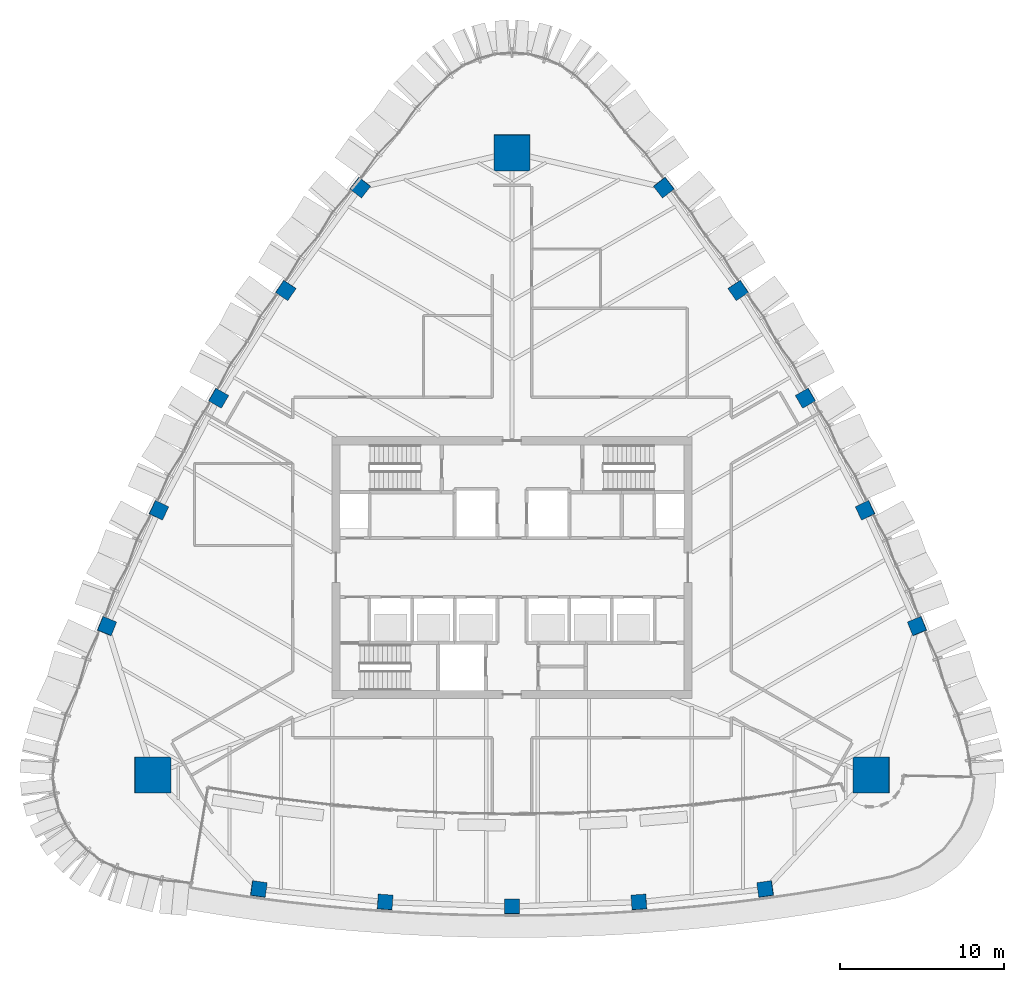
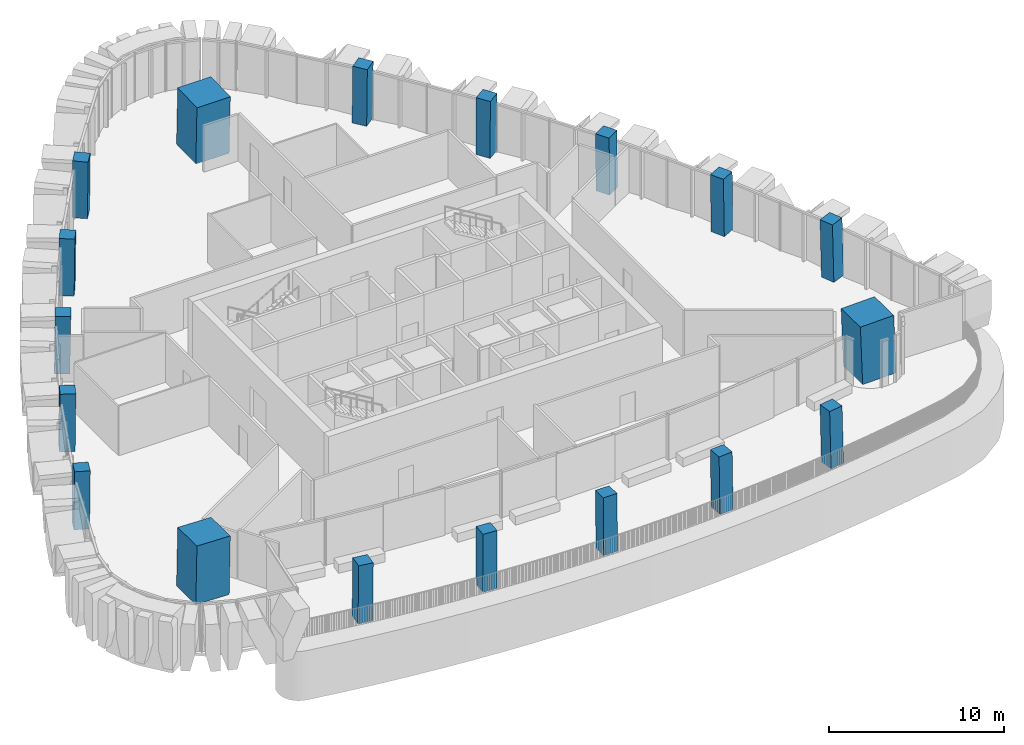
# One storey, part 1 of 22: 18 columns.
"""IFC4 building model written with IfcOpenShell, lengths in metres."""

from ifc_helpers import new_model, si_unit, direction, frame, origin, origin_2d, place, context, subcontext, project, spatial, rectangle, extrude, material, material_profile, profile_set, type_object, element, save


model = new_model("IFC4")

# Units and contexts
model_context = context("Model", 3, precision=1e-05, world=origin(), true_north=direction((0.0, 1.0)))
body_context = subcontext(model_context, "Body", "Model", "MODEL_VIEW")
ifc_project = project(units=[si_unit("LENGTHUNIT", "METRE"), si_unit("AREAUNIT", "SQUARE_METRE"), si_unit("VOLUMEUNIT", "CUBIC_METRE"), si_unit("PLANEANGLEUNIT", "RADIAN"), si_unit("MASSUNIT", "GRAM", prefix="KILO")], contexts=[model_context])

# Site, building, storey
site_placement = place(None, origin())
site = spatial("IfcSite", under=ifc_project, at=site_placement, CompositionType="ELEMENT")
building_placement = place(site_placement, origin())
building = spatial("IfcBuilding", under=site, at=building_placement, Name="Sierra Prisma Convention Tower", CompositionType="ELEMENT")
storey_placement = place(building_placement, frame((0.0, 0.0, 243.0)))
storey = spatial("IfcBuildingStorey", under=building, at=storey_placement, Name="L54", CompositionType="ELEMENT", Elevation=243.0)

# Columns
ifc_material_1 = material(Name="Concrete C50/60", Category="concrete")
ifc_material_profile_1 = material_profile(ifc_material_1, rectangle(XDim=2.199951171875, YDim=2.199951171875, at=origin_2d()), Name="Mega column RC 2200 C50/60")
ifc_profile_set_1 = profile_set([ifc_material_profile_1], Name="Concrete C50/60")
column_type_1 = type_object("IfcColumnType", Name="Mega column RC 2200 C50/60", PredefinedType="COLUMN", material=ifc_profile_set_1)
column_1_placement = place(storey_placement, frame((21.95751953125, -12.67724609375, 0.0), z_axis=(-0.027817649629, 0.016104955049, 0.999483270892), x_axis=(0.999613014306, 0.000448175434, 0.027814039075)))
element("IfcColumn", 1, at=column_1_placement, inside=storey, type_object=column_type_1, Name="Mega column SE L54", PredefinedType="COLUMN", context=body_context, shape_type="SweptSolid", body=[
    extrude(rectangle(XDim=2.199951171875, YDim=2.199951171875, at=origin_2d()), origin(), (0.0, 0.0, 1.0), 4.001953125),
])
column_2_placement = place(storey_placement, frame((0.0, 25.3544921875, 0.0), z_axis=(0.0, -0.032209841054, 0.999481128456), x_axis=(1.0, 0.0, 0.0)))
element("IfcColumn", 2, at=column_2_placement, inside=storey, type_object=column_type_1, Name="Mega column N L54", PredefinedType="COLUMN", context=body_context, shape_type="SweptSolid", body=[
    extrude(rectangle(XDim=2.199951171875, YDim=2.199951171875, at=origin_2d()), origin(), (0.0, 0.0, 1.0), 4.002197265625),
])
column_3_placement = place(storey_placement, frame((-21.95751953125, -12.67724609375, 0.0), z_axis=(0.027817649629, 0.016104955049, 0.999483270892), x_axis=(0.999613014306, -0.000448175434, -0.027814039075)))
element("IfcColumn", 3, at=column_3_placement, inside=storey, type_object=column_type_1, Name="Mega column SW L54", PredefinedType="COLUMN", context=body_context, shape_type="SweptSolid", body=[
    extrude(rectangle(XDim=2.199951171875, YDim=2.199951171875, at=origin_2d()), origin(), (0.0, 0.0, 1.0), 4.001953125),
])
ifc_material_2 = material(Name="Concrete C50/60", Category="concrete")
ifc_material_profile_2 = material_profile(ifc_material_2, rectangle(XDim=0.89990234375, YDim=0.89990234375, at=origin_2d()), Name="Perimeter column RC 900 C50/60")
ifc_profile_set_2 = profile_set([ifc_material_profile_2], Name="Concrete C50/60")
column_type_2 = type_object("IfcColumnType", Name="Perimeter column RC 900 C50/60", PredefinedType="COLUMN", material=ifc_profile_set_2)
column_4_placement = place(storey_placement, frame((-15.481201171875, -19.64697265625, 0.0), z_axis=(0.017513449354, 0.010434842647, 0.99979217498), x_axis=(-0.990536347389, 0.136323245156, 0.015928506883)))
element("IfcColumn", 4, at=column_4_placement, inside=storey, type_object=column_type_2, Name="Perimeter column S-1 L54", PredefinedType="COLUMN", context=body_context, shape_type="SweptSolid", body=[
    extrude(rectangle(XDim=0.89990234375, YDim=0.89990234375, at=origin_2d()), origin(), (0.0, 0.0, 1.0), 4.000732421875),
])
column_5_placement = place(storey_placement, frame((-7.7587890625, -20.440673828125, 0.0), z_axis=(0.008788174922, 0.01116830563, 0.999899013366), x_axis=(-0.997630770617, 0.068328359346, 0.008005050123)))
element("IfcColumn", 5, at=column_5_placement, inside=storey, type_object=column_type_2, Name="Perimeter column S-2 L54", PredefinedType="COLUMN", context=body_context, shape_type="SweptSolid", body=[
    extrude(rectangle(XDim=0.89990234375, YDim=0.89990234375, at=origin_2d()), origin(), (0.0, 0.0, 1.0), 4.00048828125),
])
column_6_placement = place(storey_placement, frame((0.0, -20.705810546875, 0.0), z_axis=(0.0, 0.011473854038, 0.99993417317), x_axis=(1.0, 0.0, 0.0)))
element("IfcColumn", 6, at=column_6_placement, inside=storey, type_object=column_type_2, Name="Perimeter column S-3 L54", PredefinedType="COLUMN", context=body_context, shape_type="SweptSolid", body=[
    extrude(rectangle(XDim=0.89990234375, YDim=0.89990234375, at=origin_2d()), origin(), (0.0, 0.0, 1.0), 4.000244140625),
])
column_7_placement = place(storey_placement, frame((7.7587890625, -20.440673828125, 0.0), z_axis=(-0.008788174922, 0.01116830563, 0.999899013366), x_axis=(0.997630770617, 0.068328359346, 0.008005050123)))
element("IfcColumn", 7, at=column_7_placement, inside=storey, type_object=column_type_2, Name="Perimeter column S-4 L54", PredefinedType="COLUMN", context=body_context, shape_type="SweptSolid", body=[
    extrude(rectangle(XDim=0.89990234375, YDim=0.89990234375, at=origin_2d()), origin(), (0.0, 0.0, 1.0), 4.00048828125),
])
for number, where, z_axis, x_axis, name in (
    (8, (15.481201171875, -19.64697265625, 0.0), (-0.017513449354, 0.010434842647, 0.99979217498), (0.990536347389, 0.136323245156, 0.015928506883), "Perimeter column S-5 L54"),
    (9, (24.75537109375, -3.583740234375, 0.0), (-0.017818554314, 0.009946658744, 0.999791759869), (-0.37737522462, 0.925923289351, -0.015937442734), "Perimeter column NE-1 L54"),
):
    element("IfcColumn", number, at=place(storey_placement, frame(where, z_axis=z_axis, x_axis=x_axis)), inside=storey, type_object=column_type_2, Name=name, PredefinedType="COLUMN", context=body_context, shape_type="SweptSolid", body=[
        extrude(rectangle(XDim=0.89990234375, YDim=0.89990234375, at=origin_2d()), origin(), (0.0, 0.0, 1.0), 4.000732421875),
    ])
column_8_placement = place(storey_placement, frame((21.58154296875, 3.501220703125, 0.0), z_axis=(-0.014036676147, 0.001952928855, 0.999899573853), x_axis=(-0.439698349735, 0.898110533027, -0.007926645355)))
element("IfcColumn", 10, at=column_8_placement, inside=storey, type_object=column_type_2, Name="Perimeter column NE-2 L54", PredefinedType="COLUMN", context=body_context, shape_type="SweptSolid", body=[
    extrude(rectangle(XDim=0.89990234375, YDim=0.89990234375, at=origin_2d()), origin(), (0.0, 0.0, 1.0), 4.00048828125),
])
column_9_placement = place(storey_placement, frame((17.931640625, 10.352783203125, 0.0), z_axis=(-0.009887052741, -0.005675900648, 0.999935013058), x_axis=(-0.49997556095, 0.866039512773, -2.7732311e-05)))
element("IfcColumn", 11, at=column_9_placement, inside=storey, type_object=column_type_2, Name="Perimeter column NE-3 L54", PredefinedType="COLUMN", context=body_context, shape_type="SweptSolid", body=[
    extrude(rectangle(XDim=0.89990234375, YDim=0.89990234375, at=origin_2d()), origin(), (0.0, 0.0, 1.0), 4.000244140625),
])
column_10_placement = place(storey_placement, frame((13.82275390625, 16.939697265625, 0.0), z_axis=(-0.005309522349, -0.013182262383, 0.999899013366), x_axis=(-0.557919760395, 0.82985655025, 0.007977905011)))
element("IfcColumn", 12, at=column_10_placement, inside=storey, type_object=column_type_2, Name="Perimeter column NE-4 L54", PredefinedType="COLUMN", context=body_context, shape_type="SweptSolid", body=[
    extrude(rectangle(XDim=0.89990234375, YDim=0.89990234375, at=origin_2d()), origin(), (0.0, 0.0, 1.0), 4.00048828125),
])
for number, where, z_axis, x_axis, name in (
    (13, (9.27392578125, 23.230712890625, 0.0), (-0.000244089904, -0.020381506962, 0.999792245716), (-0.613253125806, 0.789725407808, 0.015949418561), "Perimeter column NE-5 L54"),
    (14, (-9.27392578125, 23.230712890625, 0.0), (0.000244089904, -0.020381506962, 0.999792245716), (0.613253125806, 0.789725407808, 0.015949418561), "Perimeter column NW-1 L54"),
):
    element("IfcColumn", number, at=place(storey_placement, frame(where, z_axis=z_axis, x_axis=x_axis)), inside=storey, type_object=column_type_2, Name=name, PredefinedType="COLUMN", context=body_context, shape_type="SweptSolid", body=[
        extrude(rectangle(XDim=0.89990234375, YDim=0.89990234375, at=origin_2d()), origin(), (0.0, 0.0, 1.0), 4.000732421875),
    ])
column_11_placement = place(storey_placement, frame((-13.82275390625, 16.939697265625, 0.0), z_axis=(0.005309522349, -0.013182262383, 0.999899013366), x_axis=(0.557919760395, 0.82985655025, 0.007977905011)))
element("IfcColumn", 15, at=column_11_placement, inside=storey, type_object=column_type_2, Name="Perimeter column NW-2 L54", PredefinedType="COLUMN", context=body_context, shape_type="SweptSolid", body=[
    extrude(rectangle(XDim=0.89990234375, YDim=0.89990234375, at=origin_2d()), origin(), (0.0, 0.0, 1.0), 4.00048828125),
])
column_12_placement = place(storey_placement, frame((-17.931640625, 10.352783203125, 0.0), z_axis=(0.009887052741, -0.005675900648, 0.999935013058), x_axis=(0.49997556095, 0.866039512773, -2.7732311e-05)))
element("IfcColumn", 16, at=column_12_placement, inside=storey, type_object=column_type_2, Name="Perimeter column NW-3 L54", PredefinedType="COLUMN", context=body_context, shape_type="SweptSolid", body=[
    extrude(rectangle(XDim=0.89990234375, YDim=0.89990234375, at=origin_2d()), origin(), (0.0, 0.0, 1.0), 4.000244140625),
])
column_13_placement = place(storey_placement, frame((-21.58154296875, 3.501220703125, 0.0), z_axis=(0.014036676147, 0.001952928855, 0.999899573853), x_axis=(0.439698349735, 0.898110533027, -0.007926645355)))
element("IfcColumn", 17, at=column_13_placement, inside=storey, type_object=column_type_2, Name="Perimeter column NW-4 L54", PredefinedType="COLUMN", context=body_context, shape_type="SweptSolid", body=[
    extrude(rectangle(XDim=0.89990234375, YDim=0.89990234375, at=origin_2d()), origin(), (0.0, 0.0, 1.0), 4.00048828125),
])
column_14_placement = place(storey_placement, frame((-24.75537109375, -3.583740234375, 0.0), z_axis=(0.017818554314, 0.009946658744, 0.999791759869), x_axis=(0.37737522462, 0.925923289351, -0.015937442734)))
element("IfcColumn", 18, at=column_14_placement, inside=storey, type_object=column_type_2, Name="Perimeter column NW-5 L54", PredefinedType="COLUMN", context=body_context, shape_type="SweptSolid", body=[
    extrude(rectangle(XDim=0.89990234375, YDim=0.89990234375, at=origin_2d()), origin(), (0.0, 0.0, 1.0), 4.000732421875),
])

save(model, "model.ifc")
